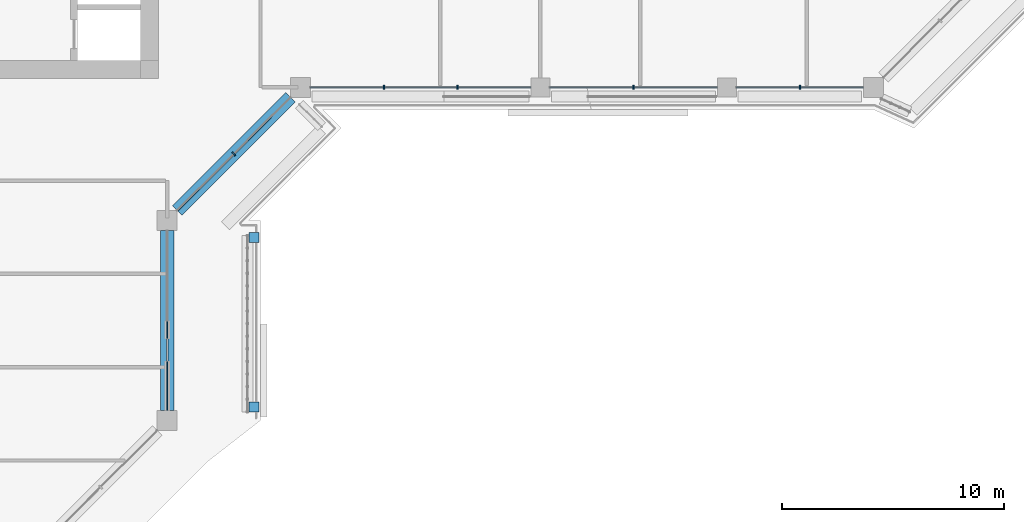
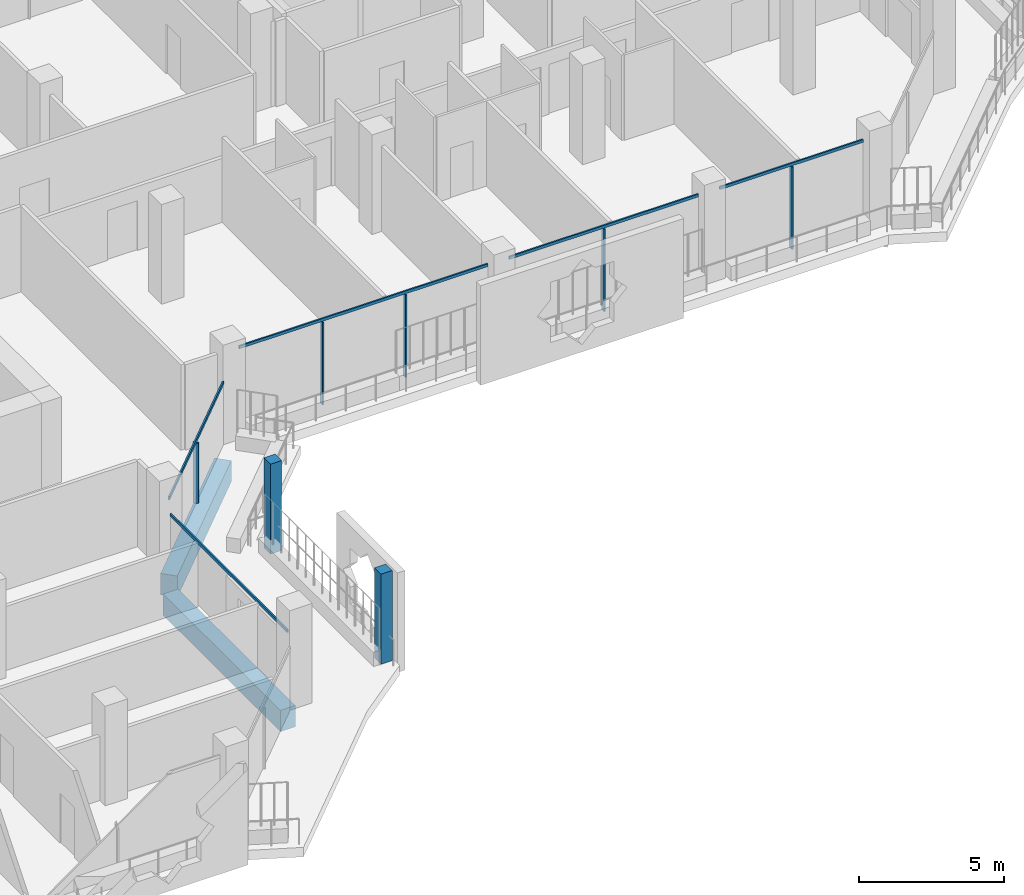
# One storey, part 4 of 22: 12 members, 2 beams, 4 elements without a shape of their own.
"""IFC4 building model written with IfcOpenShell, lengths in metres."""

from ifc_helpers import new_model, si_unit, direction, frame, origin, origin_2d, place, context, subcontext, project, spatial, rectangle, extrude, material, layer, layer_set, material_profile, profile_set, type_object, element, aggregate, save


model = new_model("IFC4")

# Units and contexts
model_context = context("Model", 3, precision=1e-05, world=origin(), true_north=direction((0.0, 1.0)))
body_context = subcontext(model_context, "Body", "Model", "MODEL_VIEW")
ifc_project = project(units=[si_unit("LENGTHUNIT", "METRE"), si_unit("AREAUNIT", "SQUARE_METRE"), si_unit("VOLUMEUNIT", "CUBIC_METRE"), si_unit("PLANEANGLEUNIT", "RADIAN"), si_unit("MASSUNIT", "GRAM", prefix="KILO")], contexts=[model_context])

# Site, building, storey
site_placement = place(None, origin())
site = spatial("IfcSite", under=ifc_project, at=site_placement, CompositionType="ELEMENT")
building_placement = place(site_placement, origin())
building = spatial("IfcBuilding", under=site, at=building_placement, Name="Kawkab Arch Medical Tower", CompositionType="ELEMENT")
storey_placement = place(building_placement, frame((0.0, 0.0, 255.800048828125)))
storey = spatial("IfcBuildingStorey", under=building, at=storey_placement, Name="L59", CompositionType="ELEMENT", Elevation=255.800048828125)

# Curtain wall, members
ifc_material_1 = material(Name="Bronze anodised aluminium curtain wall frame", Category="aluminium")
ifc_layer_1 = layer(ifc_material_1, 0.159912109375)
ifc_layer_set_1 = layer_set([ifc_layer_1], Name="Bronze anodised aluminium curtain wall frame")
curtain_wall_type_1 = type_object("IfcCurtainWallType", Name="CW1 ward curtain wall", PredefinedType="NOTDEFINED", material=ifc_layer_set_1)
placement = place(storey_placement, origin())
curtain_wall_1 = element("IfcCurtainWall", 1, at=placement, inside=storey, type_object=curtain_wall_type_1, Name="CW1 Ward curtain wall R07", PredefinedType="NOTDEFINED")
ifc_material_2 = material(Name="Bronze anodised aluminium curtain wall frame", Category="aluminium")
ifc_material_profile_1 = material_profile(ifc_material_2, rectangle(XDim=0.179931640625, YDim=0.06005859375, at=origin_2d()), Name="AL 60x180")
ifc_profile_set_1 = profile_set([ifc_material_profile_1], Name="Bronze anodised aluminium curtain wall frame")
member_type_1 = type_object("IfcMemberType", Name="CW1 mullion 60 x 180", PredefinedType="MULLION", material=ifc_profile_set_1)
member_1_placement = place(storey_placement, frame((34.958251953125, -25.199951171875, 0.0), z_axis=(0.0, 0.0, 1.0), x_axis=(0.0, 1.0, 0.0)))
member_1 = element("IfcMember", 2, at=member_1_placement, type_object=member_type_1, Name="CW1 mullion 1.1", PredefinedType="MULLION", context=body_context, shape_type="SweptSolid", body=[
    extrude(rectangle(XDim=0.179931640625, YDim=0.06005859375, at=origin_2d()), origin(), (0.0, 0.0, 1.0), 3.47998046875),
])
member_2_placement = place(storey_placement, frame((38.2666015625, -25.199951171875, 0.0), z_axis=(0.0, 0.0, 1.0), x_axis=(0.0, 1.0, 0.0)))
member_2 = element("IfcMember", 3, at=member_2_placement, type_object=member_type_1, Name="CW1 mullion 1.2", PredefinedType="MULLION", context=body_context, shape_type="SweptSolid", body=[
    extrude(rectangle(XDim=0.179931640625, YDim=0.06005859375, at=origin_2d()), origin(), (0.0, 0.0, 1.0), 3.47998046875),
])
member_3_placement = place(storey_placement, frame((46.199951171875, -25.199951171875, 0.0), z_axis=(0.0, 0.0, 1.0), x_axis=(0.0, 1.0, 0.0)))
member_3 = element("IfcMember", 4, at=member_3_placement, type_object=member_type_1, Name="CW1 mullion 2.1", PredefinedType="MULLION", context=body_context, shape_type="SweptSolid", body=[
    extrude(rectangle(XDim=0.179931640625, YDim=0.06005859375, at=origin_2d()), origin(), (0.0, 0.0, 1.0), 3.47998046875),
])
member_4_placement = place(storey_placement, frame((53.6875, -25.199951171875, 0.0), z_axis=(0.0, 0.0, 1.0), x_axis=(0.0, 1.0, 0.0)))
member_4 = element("IfcMember", 5, at=member_4_placement, type_object=member_type_1, Name="CW1 mullion 3.1", PredefinedType="MULLION", context=body_context, shape_type="SweptSolid", body=[
    extrude(rectangle(XDim=0.179931640625, YDim=0.06005859375, at=origin_2d()), origin(), (0.0, 0.0, 1.0), 3.47998046875),
])

# Curtain wall, member
curtain_wall_2 = element("IfcCurtainWall", 6, at=placement, inside=storey, type_object=curtain_wall_type_1, Name="CW1 Ward curtain wall R05", PredefinedType="NOTDEFINED")
ifc_material_3 = material(Name="Bronze anodised aluminium curtain wall frame", Category="aluminium")
ifc_material_profile_2 = material_profile(ifc_material_3, rectangle(XDim=0.06005859375, YDim=0.1201171875, at=origin_2d()), Name="AL 60x120")
ifc_profile_set_2 = profile_set([ifc_material_profile_2], Name="Bronze anodised aluminium curtain wall frame")
member_type_2 = type_object("IfcMemberType", Name="CW1 transom 120 x 60", PredefinedType="USERDEFINED", material=ifc_profile_set_2)
member_5_placement = place(storey_placement, frame((25.199951171875, -39.75, 2.639892578125), z_axis=(0.0, 1.0, 0.0), x_axis=(-1.0, 0.0, 0.0)))
member_5 = element("IfcMember", 7, at=member_5_placement, type_object=member_type_2, Name="CW1 transom 1", ObjectType="TRANSOM", PredefinedType="USERDEFINED", context=body_context, shape_type="SweptSolid", body=[
    extrude(rectangle(XDim=0.06005859375, YDim=0.1201171875, at=origin_2d()), origin(), (0.0, 0.0, 1.0), 8.10009765625),
])
aggregate(curtain_wall_2, [member_5])

# Member
member_6_placement = place(storey_placement, frame((31.64990234375, -25.199951171875, 3.5400390625), z_axis=(1.0, 0.0, 0.0), x_axis=(0.0, 1.0, 0.0)))
member_6 = element("IfcMember", 8, at=member_6_placement, type_object=member_type_2, Name="CW1 transom 1", ObjectType="TRANSOM", PredefinedType="USERDEFINED", context=body_context, shape_type="SweptSolid", body=[
    extrude(rectangle(XDim=0.06005859375, YDim=0.1201171875, at=origin_2d()), origin(), (0.0, 0.0, 1.0), 9.925048828125),
])

member_7_placement = place(storey_placement, frame((42.425048828125, -25.199951171875, 3.5400390625), z_axis=(1.0, 0.0, 0.0), x_axis=(0.0, 1.0, 0.0)))
member_7 = element("IfcMember", 9, at=member_7_placement, type_object=member_type_2, Name="CW1 transom 2", ObjectType="TRANSOM", PredefinedType="USERDEFINED", context=body_context, shape_type="SweptSolid", body=[
    extrude(rectangle(XDim=0.06005859375, YDim=0.1201171875, at=origin_2d()), origin(), (0.0, 0.0, 1.0), 7.550048828125),
])

member_8_placement = place(storey_placement, frame((50.824951171875, -25.199951171875, 3.5400390625), z_axis=(1.0, 0.0, 0.0), x_axis=(0.0, 1.0, 0.0)))
member_8 = element("IfcMember", 10, at=member_8_placement, type_object=member_type_2, Name="CW1 transom 3", ObjectType="TRANSOM", PredefinedType="USERDEFINED", context=body_context, shape_type="SweptSolid", body=[
    extrude(rectangle(XDim=0.06005859375, YDim=0.1201171875, at=origin_2d()), origin(), (0.0, 0.0, 1.0), 5.72509765625),
])

aggregate(curtain_wall_1, [member_6, member_1, member_2, member_7, member_3, member_8, member_4])

# Curtain wall, members
ifc_material_4 = material(Name="Bronze anodised aluminium curtain wall frame", Category="aluminium")
ifc_layer_2 = layer(ifc_material_4, 0.159912109375)
ifc_layer_set_2 = layer_set([ifc_layer_2], Name="Bronze anodised aluminium curtain wall frame")
curtain_wall_type_2 = type_object("IfcCurtainWallType", Name="CW2 chamfer curtain wall", PredefinedType="NOTDEFINED", material=ifc_layer_set_2)
curtain_wall_3 = element("IfcCurtainWall", 11, at=placement, inside=storey, type_object=curtain_wall_type_2, Name="CW2 Chamfer curtain wall R06", PredefinedType="NOTDEFINED")
ifc_material_5 = material(Name="Bronze anodised aluminium curtain wall frame", Category="aluminium")
ifc_material_profile_3 = material_profile(ifc_material_5, rectangle(XDim=0.199951171875, YDim=0.06005859375, at=origin_2d()), Name="AL 60x200")
ifc_profile_set_3 = profile_set([ifc_material_profile_3], Name="Bronze anodised aluminium curtain wall frame")
member_type_3 = type_object("IfcMemberType", Name="CW2 mullion 60 x 200", PredefinedType="MULLION", material=ifc_profile_set_3)
member_9_placement = place(storey_placement, frame((28.199951171875, -28.199951171875, 0.0), z_axis=(0.0, 0.0, 1.0), x_axis=(-0.707106781187, 0.707106781187, 0.0)))
member_9 = element("IfcMember", 12, at=member_9_placement, type_object=member_type_3, Name="CW2 mullion 1.1", PredefinedType="MULLION", context=body_context, shape_type="SweptSolid", body=[
    extrude(rectangle(XDim=0.199951171875, YDim=0.06005859375, at=origin_2d()), origin(), (0.0, 0.0, 1.0), 2.56005859375),
])
ifc_material_6 = material(Name="Bronze anodised aluminium curtain wall frame", Category="aluminium")
ifc_material_profile_4 = material_profile(ifc_material_6, rectangle(XDim=0.06005859375, YDim=0.139892578125, at=origin_2d()), Name="AL 60x140")
ifc_profile_set_4 = profile_set([ifc_material_profile_4], Name="Bronze anodised aluminium curtain wall frame")
member_type_4 = type_object("IfcMemberType", Name="CW2 transom 140 x 60", PredefinedType="USERDEFINED", material=ifc_profile_set_4)
member_10_placement = place(storey_placement, frame((25.64990234375, -30.75, 2.6298828125), z_axis=(0.707106781187, 0.707106781187, 0.0), x_axis=(-0.707106781187, 0.707106781187, 0.0)))
member_10 = element("IfcMember", 13, at=member_10_placement, type_object=member_type_4, Name="CW2 transom 1", ObjectType="TRANSOM", PredefinedType="USERDEFINED", context=body_context, shape_type="SweptSolid", body=[
    extrude(rectangle(XDim=0.06005859375, YDim=0.139892578125, at=origin_2d()), origin(), (0.0, 0.0, 1.0), 7.212646484375),
])
aggregate(curtain_wall_3, [member_10, member_9])

ifc_material_7 = material(Name="Bronze anodised aluminium climber frame, planted", Category="aluminium")
ifc_layer_3 = layer(ifc_material_7, 0.449951171875)
ifc_layer_set_3 = layer_set([ifc_layer_3], Name="Bronze anodised aluminium climber frame, planted")
curtain_wall_type_3 = type_object("IfcCurtainWallType", Name="Planted climber frame", PredefinedType="NOTDEFINED", material=ifc_layer_set_3)
curtain_wall_4 = element("IfcCurtainWall", 14, at=placement, inside=storey, type_object=curtain_wall_type_3, Name="Planted climber frame L59", PredefinedType="NOTDEFINED")
ifc_material_8 = material(Name="Bronze anodised aluminium climber frame, planted", Category="aluminium")
ifc_material_profile_5 = material_profile(ifc_material_8, rectangle(XDim=0.449951171875, YDim=0.449951171875, at=origin_2d()), Name="Post 450x450")
ifc_profile_set_5 = profile_set([ifc_material_profile_5], Name="Bronze anodised aluminium climber frame, planted")
member_type_5 = type_object("IfcMemberType", Name="Planted climber post 450 x 450", PredefinedType="MULLION", material=ifc_profile_set_5)
member_11_placement = place(storey_placement, frame((29.10009765625, -31.949951171875, 0.0), z_axis=(0.0, 0.0, 1.0), x_axis=(1.0, 0.0, 0.0)))
member_11 = element("IfcMember", 15, at=member_11_placement, type_object=member_type_5, Name="Planted climber post L59.LOG-01-01.3", PredefinedType="MULLION", context=body_context, shape_type="SweptSolid", body=[
    extrude(rectangle(XDim=0.449951171875, YDim=0.449951171875, at=origin_2d()), origin(), (0.0, 0.0, 1.0), 3.800048828125),
])
member_12_placement = place(storey_placement, frame((29.10009765625, -39.60302734375, 0.0), z_axis=(0.0, 0.0, 1.0), x_axis=(1.0, 0.0, 0.0)))
member_12 = element("IfcMember", 16, at=member_12_placement, type_object=member_type_5, Name="Planted climber post L59.LOG-01-01.4", PredefinedType="MULLION", context=body_context, shape_type="SweptSolid", body=[
    extrude(rectangle(XDim=0.449951171875, YDim=0.449951171875, at=origin_2d()), origin(), (0.0, 0.0, 1.0), 3.800048828125),
])
aggregate(curtain_wall_4, [member_11, member_12])

# Beams
ifc_material_9 = material(Name="Concrete C45/55", Category="concrete")
ifc_material_profile_6 = material_profile(ifc_material_9, rectangle(XDim=0.60009765625, YDim=0.89990234375, at=origin_2d()), Name="RC 600x900")
ifc_profile_set_6 = profile_set([ifc_material_profile_6], Name="Concrete C45/55")
beam_type = type_object("IfcBeamType", Name="RC 600x900 beam C45/55", PredefinedType="BEAM", material=ifc_profile_set_6)
beam_1_placement = place(storey_placement, frame((30.75, -25.64990234375, -1.050048828125), z_axis=(-0.707106781187, -0.707106781187, 0.0), x_axis=(0.707106781187, -0.707106781187, 0.0)))
element("IfcBeam", 17, at=beam_1_placement, inside=storey, type_object=beam_type, Name="Overhang edge beam L59-04", PredefinedType="BEAM", context=body_context, shape_type="SweptSolid", body=[
    extrude(rectangle(XDim=0.60009765625, YDim=0.89990234375, at=origin_2d()), origin(), (0.0, 0.0, 1.0), 7.212646484375),
])
beam_2_placement = place(storey_placement, frame((25.199951171875, -31.64990234375, -1.050048828125), z_axis=(0.0, -1.0, 0.0), x_axis=(1.0, 0.0, 0.0)))
element("IfcBeam", 18, at=beam_2_placement, inside=storey, type_object=beam_type, Name="Overhang edge beam L59-05", PredefinedType="BEAM", context=body_context, shape_type="SweptSolid", body=[
    extrude(rectangle(XDim=0.60009765625, YDim=0.89990234375, at=origin_2d()), origin(), (0.0, 0.0, 1.0), 8.10009765625),
])

save(model, "model.ifc")
